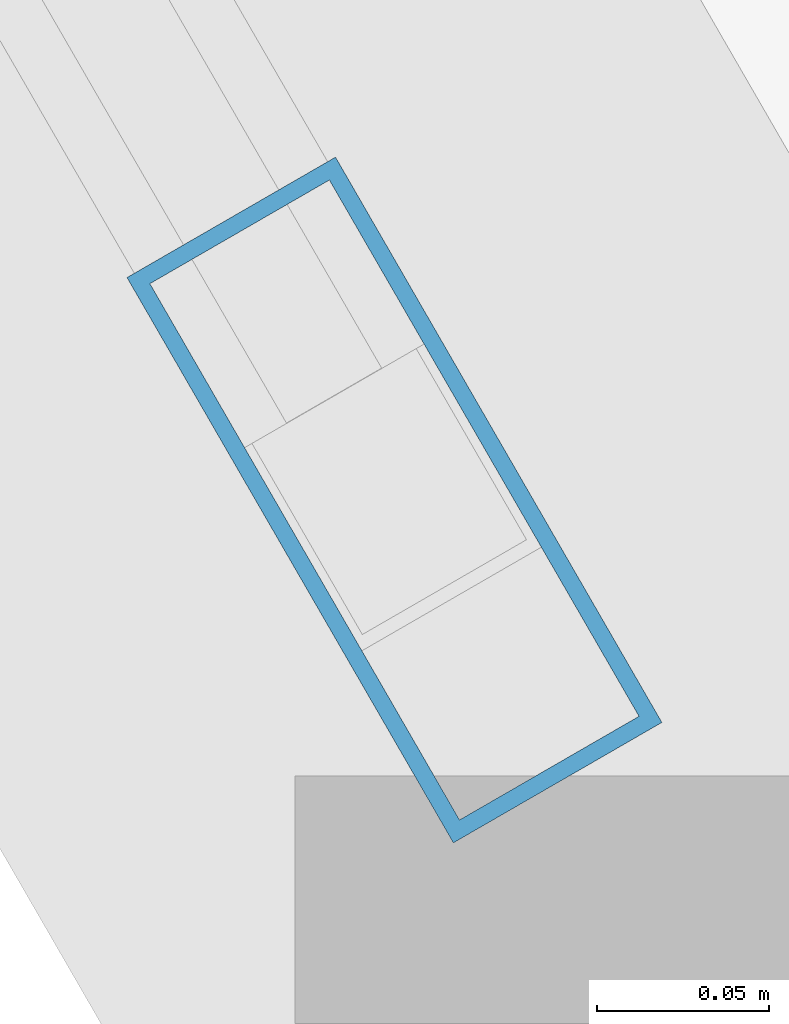
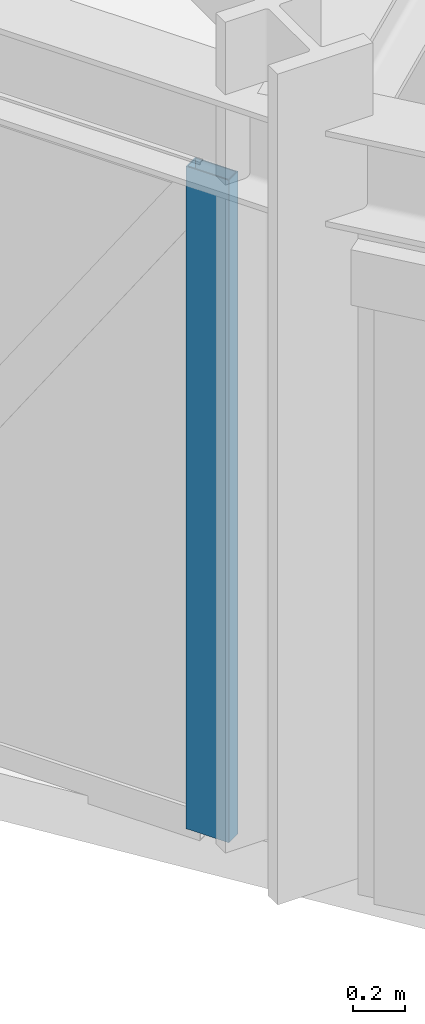
# One storey, part 2 of 22: 1 member, 1 element without a shape of its own.
"""IFC4 building model written with IfcOpenShell, lengths in metres."""

from ifc_helpers import new_model, si_unit, derived_unit, direction, frame, origin, origin_2d, place, context, subcontext, project, spatial, hollow_rectangle, extrude, source, transform, mapped, material, layer, layer_set, material_profile, profile_set, type_object, element, aggregate, save


model = new_model("IFC4")

# Units and contexts
model_context = context("Model", 3, precision=1e-05, world=origin(), true_north=direction((0.0, 1.0)))
body_context = subcontext(model_context, "Body", "Model", "MODEL_VIEW")
ifc_project = project(units=[si_unit("LENGTHUNIT", "METRE"), si_unit("AREAUNIT", "SQUARE_METRE"), si_unit("VOLUMEUNIT", "CUBIC_METRE"), si_unit("PLANEANGLEUNIT", "RADIAN"), si_unit("MASSUNIT", "GRAM", prefix="KILO"), derived_unit("THERMALTRANSMITTANCEUNIT", [(si_unit("POWERUNIT", "WATT"), 1), (si_unit("LENGTHUNIT", "METRE"), -2), (si_unit("THERMODYNAMICTEMPERATUREUNIT", "KELVIN"), -1)])], contexts=[model_context])

# Site, building, storey
site_placement = place(None, origin())
site = spatial("IfcSite", under=ifc_project, at=site_placement, CompositionType="ELEMENT")
building_placement = place(site_placement, origin())
building = spatial("IfcBuilding", under=site, at=building_placement, Name="Korsvarv Bourse and Concert Hall", CompositionType="ELEMENT")
storey_placement = place(building_placement, frame((0.0, 0.0, 55.199951171875)))
storey = spatial("IfcBuildingStorey", under=building, at=storey_placement, Name="L13", CompositionType="ELEMENT", Elevation=55.199951171875)

# Curtain wall, member
ifc_material_1 = material(Name="Anodised aluminium and triple low-E glazing", Category="glass")
ifc_layer = layer(ifc_material_1, 0.219970703125)
ifc_layer_set = layer_set([ifc_layer], Name="Anodised aluminium and triple low-E glazing")
curtain_wall_type = type_object("IfcCurtainWallType", Name="CW-SYS-1", PredefinedType="NOTDEFINED", material=ifc_layer_set)
curtain_wall_placement = place(storey_placement, origin())
curtain_wall = element("IfcCurtainWall", 1, at=curtain_wall_placement, inside=storey, type_object=curtain_wall_type, Name="L13 CW1 curtain wall CW-L13-F07", PredefinedType="NOTDEFINED")
ifc_material_2 = material(Name="Extruded aluminium EN AW-6063 T66", Category="aluminium")
ifc_material_profile = material_profile(ifc_material_2, hollow_rectangle(XDim=0.070068359375, YDim=0.18994140625, WallThickness=0.0048828125, at=origin_2d()), Name="ALU-M 70x190")
ifc_profile_set = profile_set([ifc_material_profile], Name="Extruded aluminium EN AW-6063 T66")
member_type = type_object("IfcMemberType", Name="CWM-190", PredefinedType="MULLION", material=ifc_profile_set)
shared_shape = source(origin(), body_context, "Body", "SweptSolid", [
    extrude(hollow_rectangle(XDim=0.070068359375, YDim=0.18994140625, WallThickness=0.0048828125, at=origin_2d()), origin(), (0.0, 0.0, 1.0), 3.110107421875),
])
member_placement = place(storey_placement, frame((21.618408203125, 19.130859375, 0.0), z_axis=(0.0, 0.0, 1.0), x_axis=(0.866025499647, 0.499999833962, 0.0)))
member = element("IfcMember", 2, at=member_placement, type_object=member_type, Name="CW1 mullion 8", PredefinedType="MULLION", context=body_context, shape_type="MappedRepresentation", body=[
    mapped(shared_shape, transform((0.0, 0.0, 0.0), scale=1.0)),
])
aggregate(curtain_wall, [member])

save(model, "model.ifc")
